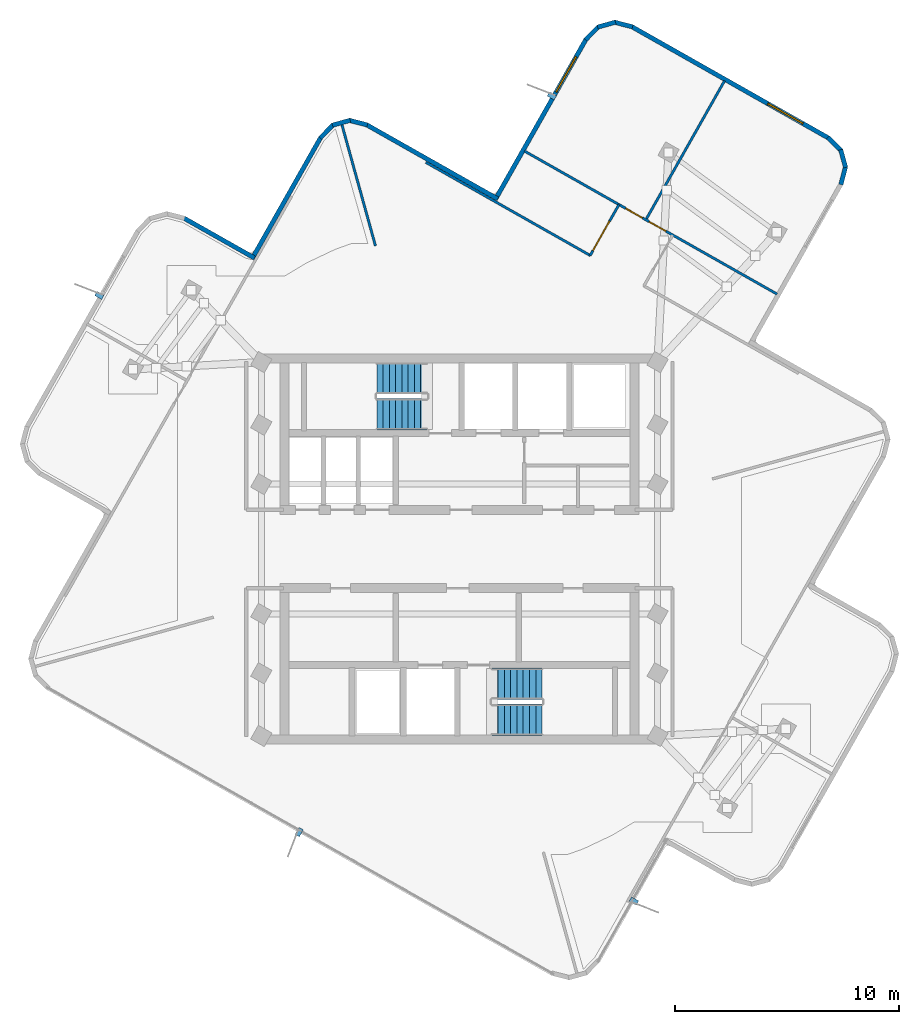
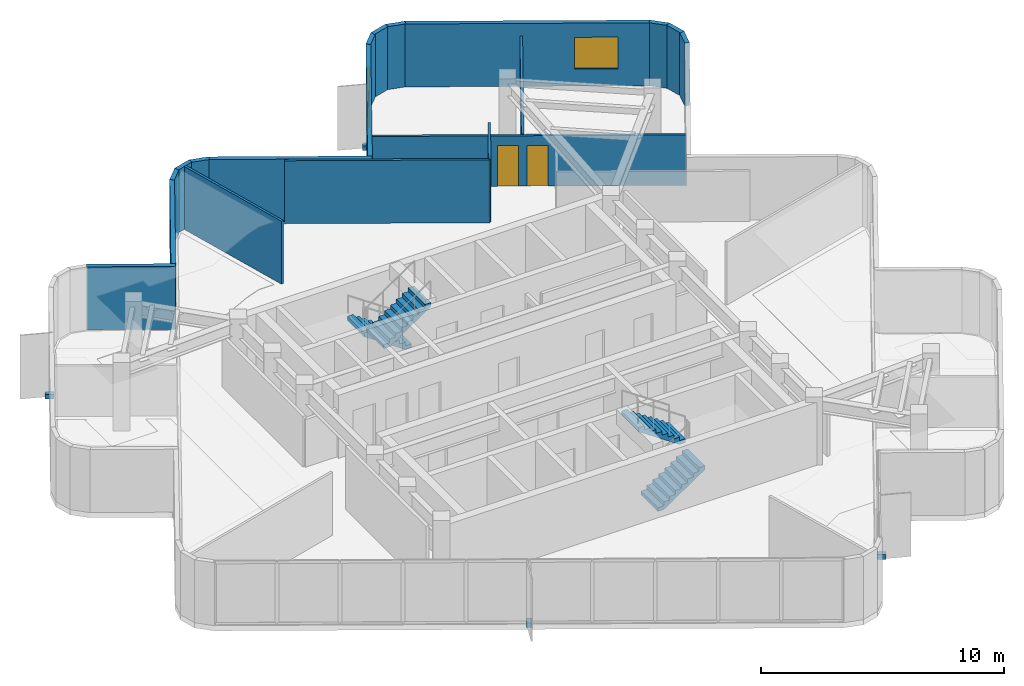
# One storey, part 6 of 9: 19 walls, 4 discrete accessories, 4 stair flights, 3 doors, 2 windows, 5 openings, 2 elements without a shape of their own.
"""IFC4 building model written with IfcOpenShell, lengths in metres."""

from ifc_helpers import new_model, si_unit, direction, frame, frame_2d, origin, origin_2d, place, context, subcontext, project, spatial, polyline, rectangle, outline, extrude, material, layer, layer_set, type_object, element, fill, aggregate, save


model = new_model("IFC4")

# Units and contexts
model_context = context("Model", 3, precision=1e-05, world=origin(), true_north=direction((0.0, 1.0)))
body_context = subcontext(model_context, "Body", "Model", "MODEL_VIEW")
ifc_project = project(units=[si_unit("LENGTHUNIT", "METRE"), si_unit("AREAUNIT", "SQUARE_METRE"), si_unit("VOLUMEUNIT", "CUBIC_METRE"), si_unit("PLANEANGLEUNIT", "RADIAN"), si_unit("MASSUNIT", "GRAM", prefix="KILO")], contexts=[model_context])

# Site, building, storey
site_placement = place(None, origin())
site = spatial("IfcSite", under=ifc_project, at=site_placement, CompositionType="ELEMENT")
building_placement = place(site_placement, origin())
building = spatial("IfcBuilding", under=site, at=building_placement, Name="Solmarez Civic Tower", CompositionType="ELEMENT")
storey_placement = place(building_placement, frame((0.0, 0.0, 278.280029296875)))
storey = spatial("IfcBuildingStorey", under=building, at=storey_placement, Name="L75", CompositionType="ELEMENT", Elevation=278.280029296875)

# Walls
ifc_material_1 = material(Name="Precast concrete C40/50", Category="concrete")
ifc_layer_1 = layer(ifc_material_1, 0.199951171875)
ifc_layer_set_1 = layer_set([ifc_layer_1], Name="Precast concrete C40/50")
wall_type_1 = type_object("IfcWallType", Name="WALL-EXT-200", PredefinedType="SOLIDWALL", material=ifc_layer_set_1)
wall_1_placement = place(storey_placement, frame((-12.322998046875, 14.7919921875, 0.0), z_axis=(0.0, 0.0, 1.0), x_axis=(0.870412972764, -0.492322309918, 0.0)))
element("IfcWall", 1, at=wall_1_placement, inside=storey, type_object=wall_type_1, Name="L75 Exterior Precast Wall 21", PredefinedType="SOLIDWALL", context=body_context, shape_type="SweptSolid", body=[
    extrude(rectangle(XDim=3.641845703125, YDim=0.199951171875, at=frame_2d((1.82080078125, 0.0))), origin(), (0.0, 0.0, 1.0), 3.159912109375),
])
wall_2_placement = place(storey_placement, frame((-9.261962890625, 12.968017578125, 0.0), z_axis=(0.0, 0.0, 1.0), x_axis=(0.492583125855, 0.87026539867, 0.0)))
element("IfcWall", 2, at=wall_2_placement, inside=storey, type_object=wall_type_1, Name="L75 Exterior Precast Wall 24", PredefinedType="SOLIDWALL", context=body_context, shape_type="SweptSolid", body=[
    extrude(rectangle(XDim=6.240478515625, YDim=0.199951171875, at=frame_2d((3.1201171875, 0.0))), origin(), (0.0, 0.0, 1.0), 3.159912109375),
])
wall_3_placement = place(storey_placement, frame((-6.218017578125, 18.35888671875, 0.0), z_axis=(0.0, 0.0, 1.0), x_axis=(0.701706468749, 0.712466161804, 0.0)))
element("IfcWall", 3, at=wall_3_placement, inside=storey, type_object=wall_type_1, Name="L75 Exterior Precast Wall 25", PredefinedType="SOLIDWALL", context=body_context, shape_type="SweptSolid", body=[
    extrude(rectangle(XDim=0.839599609375, YDim=0.199951171875, at=frame_2d((0.419921875, 0.0))), origin(), (0.0, 0.0, 1.0), 3.159912109375),
])
wall_4_placement = place(storey_placement, frame((-5.6708984375, 18.931884765625, 0.0), z_axis=(0.0, 0.0, 1.0), x_axis=(0.963313924885, 0.268377126675, 0.0)))
element("IfcWall", 4, at=wall_4_placement, inside=storey, type_object=wall_type_1, Name="L75 Exterior Precast Wall 26", PredefinedType="SOLIDWALL", context=body_context, shape_type="SweptSolid", body=[
    extrude(rectangle(XDim=0.82421875, YDim=0.199951171875, at=frame_2d((0.412109375, 0.0))), origin(), (0.0, 0.0, 1.0), 3.159912109375),
])
wall_5_placement = place(storey_placement, frame((-4.925048828125, 19.152099609375, 0.0), z_axis=(0.0, 0.0, 1.0), x_axis=(0.968015248239, -0.250891369276, 0.0)))
element("IfcWall", 5, at=wall_5_placement, inside=storey, type_object=wall_type_1, Name="L75 Exterior Precast Wall 27", PredefinedType="SOLIDWALL", context=body_context, shape_type="SweptSolid", body=[
    extrude(rectangle(XDim=0.837890625, YDim=0.199951171875, at=frame_2d((0.4189453125, 0.0))), origin(), (0.0, 0.0, 1.0), 3.159912109375),
])
wall_6_placement = place(storey_placement, frame((-4.159912109375, 18.9599609375, 0.0), z_axis=(0.0, 0.0, 1.0), x_axis=(0.870345588147, -0.492441425139, 0.0)))
element("IfcWall", 6, at=wall_6_placement, inside=storey, type_object=wall_type_1, Name="L75 Exterior Precast Wall 28", PredefinedType="SOLIDWALL", context=body_context, shape_type="SweptSolid", body=[
    extrude(rectangle(XDim=6.741943359375, YDim=0.199951171875, at=frame_2d((3.37109375, 0.0))), origin(), (0.0, 0.0, 1.0), 3.159912109375),
])

# Wall, opening, window
wall_7_placement = place(storey_placement, frame((1.59912109375, 15.60888671875, 0.0), z_axis=(0.0, 0.0, 1.0), x_axis=(0.492609649108, 0.870250385582, 0.0)))
wall_7 = element("IfcWall", 7, at=wall_7_placement, inside=storey, type_object=wall_type_1, Name="L75 Exterior Precast Wall 31", PredefinedType="SOLIDWALL", context=body_context, shape_type="SweptSolid", body=[
    extrude(rectangle(XDim=8.241455078125, YDim=0.199951171875, at=frame_2d((4.12060546875, 0.0))), origin(), (0.0, 0.0, 1.0), 3.159912109375),
])
opening_1_placement = place(wall_7_placement, frame((5.528076171875, 0.0, 0.85009765625)))
opening_1 = element("IfcOpeningElement", 8, at=opening_1_placement, cuts=wall_7, Name="Opening W-08", PredefinedType="OPENING", context=body_context, shape_type="SweptSolid", body=[
    extrude(rectangle(XDim=1.800048828125, YDim=1.800048828125, at=frame_2d((0.89990234375, 0.89990234375))), frame((0.0, 0.10986328125, 0.0), z_axis=(0.0, -1.0, 0.0), x_axis=(1.0, 0.0, 0.0)), (0.0, 0.0, 1.0), 0.219970703125),
])
ifc_material_2 = material(Name="Solar Control Bronze-Tinted Insulating Glass", Category="glass")
window_type_1 = type_object("IfcWindowType", Name="WIN-1800X1800", PartitioningType="SINGLE_PANEL", PredefinedType="WINDOW", material=ifc_material_2)
window_1_placement = place(opening_1_placement, origin())
window_1 = element("IfcWindow", 9, at=window_1_placement, inside=storey, type_object=window_type_1, Name="L75 Exterior Facade Window 31", OverallHeight=1.800048828125, OverallWidth=1.800048828125, PartitioningType="SINGLE_PANEL", PredefinedType="WINDOW", context=body_context, shape_type="SweptSolid", body=[
    extrude(rectangle(XDim=1.800048828125, YDim=1.800048828125, at=frame_2d((0.89990234375, 0.89990234375))), frame((0.0, 0.030029296875, 0.0), z_axis=(0.0, -1.0, 0.0), x_axis=(1.0, 0.0, 0.0)), (0.0, 0.0, 1.0), 0.06005859375),
])
fill(opening_1, window_1)

# Walls
wall_8_placement = place(storey_placement, frame((5.62890625, 22.740966796875, 0.0), z_axis=(0.0, 0.0, 1.0), x_axis=(0.701706468749, 0.712466161804, 0.0)))
element("IfcWall", 10, at=wall_8_placement, inside=storey, type_object=wall_type_1, Name="L75 Exterior Precast Wall 32", PredefinedType="SOLIDWALL", context=body_context, shape_type="SweptSolid", body=[
    extrude(rectangle(XDim=0.839599609375, YDim=0.199951171875, at=frame_2d((0.419921875, 0.0))), origin(), (0.0, 0.0, 1.0), 3.159912109375),
])
wall_9_placement = place(storey_placement, frame((6.176025390625, 23.31396484375, 0.0), z_axis=(0.0, 0.0, 1.0), x_axis=(0.963390474438, 0.268102207677, 0.0)))
element("IfcWall", 11, at=wall_9_placement, inside=storey, type_object=wall_type_1, Name="L75 Exterior Precast Wall 33", PredefinedType="SOLIDWALL", context=body_context, shape_type="SweptSolid", body=[
    extrude(rectangle(XDim=0.82421875, YDim=0.199951171875, at=frame_2d((0.412109375, 0.0))), origin(), (0.0, 0.0, 1.0), 3.159912109375),
])
wall_10_placement = place(storey_placement, frame((6.922119140625, 23.533935546875, 0.0), z_axis=(0.0, 0.0, 1.0), x_axis=(0.968067673617, -0.250689009127, 0.0)))
element("IfcWall", 12, at=wall_10_placement, inside=storey, type_object=wall_type_1, Name="L75 Exterior Precast Wall 34", PredefinedType="SOLIDWALL", context=body_context, shape_type="SweptSolid", body=[
    extrude(rectangle(XDim=0.837646484375, YDim=0.199951171875, at=frame_2d((0.4189453125, 0.0))), origin(), (0.0, 0.0, 1.0), 3.159912109375),
])

# Wall, opening, window
wall_11_placement = place(storey_placement, frame((7.68701171875, 23.342041015625, 0.0), z_axis=(0.0, 0.0, 1.0), x_axis=(0.870205552017, -0.49268884424, 0.0)))
wall_11 = element("IfcWall", 13, at=wall_11_placement, inside=storey, type_object=wall_type_1, Name="L75 Exterior Precast Wall 35", PredefinedType="SOLIDWALL", context=body_context, shape_type="SweptSolid", body=[
    extrude(rectangle(XDim=10.1240234375, YDim=0.199951171875, at=frame_2d((5.06201171875, 0.0))), origin(), (0.0, 0.0, 1.0), 3.159912109375),
])
opening_2_placement = place(wall_11_placement, frame((6.9970703125, 0.0, 0.85009765625)))
opening_2 = element("IfcOpeningElement", 14, at=opening_2_placement, cuts=wall_11, Name="Opening W-12", PredefinedType="OPENING", context=body_context, shape_type="SweptSolid", body=[
    extrude(rectangle(XDim=1.800048828125, YDim=1.60009765625, at=frame_2d((0.89990234375, 0.800048828125))), frame((0.0, 0.10986328125, 0.0), z_axis=(0.0, -1.0, 0.0), x_axis=(1.0, 0.0, 0.0)), (0.0, 0.0, 1.0), 0.219970703125),
])
window_type_2 = type_object("IfcWindowType", Name="WIN-1800X1600", PartitioningType="SINGLE_PANEL", PredefinedType="WINDOW", material=ifc_material_2)
window_2_placement = place(opening_2_placement, origin())
window_2 = element("IfcWindow", 15, at=window_2_placement, inside=storey, type_object=window_type_2, Name="L75 Exterior Facade Window 35", OverallHeight=1.60009765625, OverallWidth=1.800048828125, PartitioningType="SINGLE_PANEL", PredefinedType="WINDOW", context=body_context, shape_type="SweptSolid", body=[
    extrude(rectangle(XDim=1.800048828125, YDim=1.60009765625, at=frame_2d((0.89990234375, 0.800048828125))), frame((0.0, 0.030029296875, 0.0), z_axis=(0.0, -1.0, 0.0), x_axis=(1.0, 0.0, 0.0)), (0.0, 0.0, 1.0), 0.06005859375),
])
fill(opening_2, window_2)

# Walls
wall_12_placement = place(storey_placement, frame((16.45703125, 18.384033203125, 0.0), z_axis=(0.0, 0.0, 1.0), x_axis=(0.712904820367, -0.701260805334, 0.0)))
element("IfcWall", 16, at=wall_12_placement, inside=storey, type_object=wall_type_1, Name="L75 Exterior Precast Wall 36", PredefinedType="SOLIDWALL", context=body_context, shape_type="SweptSolid", body=[
    extrude(rectangle(XDim=0.838623046875, YDim=0.199951171875, at=frame_2d((0.41943359375, 0.0))), origin(), (0.0, 0.0, 1.0), 3.159912109375),
])
wall_13_placement = place(storey_placement, frame((17.030029296875, 17.837890625, 0.0), z_axis=(0.0, 0.0, 1.0), x_axis=(0.267796477586, -0.963475503888, 0.0)))
element("IfcWall", 17, at=wall_13_placement, inside=storey, type_object=wall_type_1, Name="L75 Exterior Precast Wall 37", PredefinedType="SOLIDWALL", context=body_context, shape_type="SweptSolid", body=[
    extrude(rectangle(XDim=0.824951171875, YDim=0.199951171875, at=frame_2d((0.41259765625, 0.0))), origin(), (0.0, 0.0, 1.0), 3.159912109375),
])
wall_14_placement = place(storey_placement, frame((17.25, 17.091064453125, 0.0), z_axis=(0.0, 0.0, 1.0), x_axis=(-0.250618286331, -0.968085985105, 0.0)))
element("IfcWall", 18, at=wall_14_placement, inside=storey, type_object=wall_type_1, Name="L75 Exterior Precast Wall 38", PredefinedType="SOLIDWALL", context=body_context, shape_type="SweptSolid", body=[
    extrude(rectangle(XDim=0.837890625, YDim=0.199951171875, at=frame_2d((0.4189453125, 0.0))), origin(), (0.0, 0.0, 1.0), 3.159912109375),
])
ifc_material_3 = material(Name="Gypsum Board Acoustic Steel-Stud Partition", Category="steel")
ifc_layer_2 = layer(ifc_material_3, 0.110107421875)
ifc_layer_set_2 = layer_set([ifc_layer_2], Name="Gypsum Board Acoustic Steel-Stud Partition")
wall_type_2 = type_object("IfcWallType", Name="WALL-INT-PART-110", PredefinedType="PARTITIONING", material=ifc_layer_set_2)
wall_15_placement = place(storey_placement, frame((-3.75, 13.5400390625, 0.0), z_axis=(0.0, 0.0, 1.0), x_axis=(-0.266822842302, 0.963745594452, 0.0)))
element("IfcWall", 19, at=wall_15_placement, inside=storey, type_object=wall_type_2, Name="L75 Interior Partition PT-L75-QDIV-1", PredefinedType="PARTITIONING", context=body_context, shape_type="SweptSolid", body=[
    extrude(rectangle(XDim=5.64453125, YDim=0.110107421875, at=frame_2d((2.822265625, 0.0))), origin(), (0.0, 0.0, 1.0), 3.159912109375),
])
wall_16_placement = place(storey_placement, frame((5.84912109375, 13.110107421875, 0.0), z_axis=(0.0, 0.0, 1.0), x_axis=(-0.870169207172, 0.49275303235, 0.0)))
element("IfcWall", 20, at=wall_16_placement, inside=storey, type_object=wall_type_2, Name="L75 Interior Partition PT-L75-E-EFL", PredefinedType="PARTITIONING", context=body_context, shape_type="SweptSolid", body=[
    extrude(rectangle(XDim=8.4501953125, YDim=0.110107421875, at=frame_2d((4.22509765625, 0.0))), origin(), (0.0, 0.0, 1.0), 3.159912109375),
])

# Wall, opening, door
wall_17_placement = place(storey_placement, frame((7.1259765625, 15.385986328125, 0.0), z_axis=(0.0, 0.0, 1.0), x_axis=(-0.492719860856, -0.870187990447, 0.0)))
wall_17 = element("IfcWall", 21, at=wall_17_placement, inside=storey, type_object=wall_type_2, Name="L75 Interior Partition PT-L75-E-SL", PredefinedType="PARTITIONING", context=body_context, shape_type="SweptSolid", body=[
    extrude(rectangle(XDim=2.60986328125, YDim=0.110107421875, at=frame_2d((1.304931640625, 0.0))), origin(), (0.0, 0.0, 1.0), 3.159912109375),
])
opening_3_placement = place(wall_17_placement, frame((0.85498046875, 0.0, 0.0)))
opening_3 = element("IfcOpeningElement", 22, at=opening_3_placement, cuts=wall_17, Name="Opening D-16", PredefinedType="OPENING", context=body_context, shape_type="SweptSolid", body=[
    extrude(rectangle(XDim=1.5, YDim=2.1201171875, at=frame_2d((0.75, 1.06005859375))), frame((0.0, 0.06494140625, 0.0), z_axis=(0.0, -1.0, 0.0), x_axis=(1.0, 0.0, 0.0)), (0.0, 0.0, 1.0), 0.130126953125),
])
ifc_material_4 = material(Name="Diplomatic Protocol Reception Door", Category="wood")
door_type_1 = type_object("IfcDoorType", Name="DOOR-INT-1500", OperationType="NOTDEFINED", PredefinedType="DOOR", material=ifc_material_4)
door_1_placement = place(opening_3_placement, origin())
door_1 = element("IfcDoor", 23, at=door_1_placement, inside=storey, type_object=door_type_1, Name="L75 Executive Chamber Tribunal Mediation Conference Room East Door", OperationType="SINGLE_SWING_LEFT", OverallHeight=2.1201171875, OverallWidth=1.5, PredefinedType="DOOR", context=body_context, shape_type="SweptSolid", body=[
    extrude(rectangle(XDim=1.5, YDim=2.1201171875, at=frame_2d((0.75, 1.06005859375))), frame((0.0, 0.02490234375, 0.0), z_axis=(0.0, -1.0, 0.0), x_axis=(1.0, 0.0, 0.0)), (0.0, 0.0, 1.0), 0.050048828125),
])
fill(opening_3, door_1)

# Wall
wall_18_placement = place(storey_placement, frame((8.35693359375, 14.758056640625, 0.0), z_axis=(0.0, 0.0, 1.0), x_axis=(0.492600685366, 0.870255459493, 0.0)))
element("IfcWall", 24, at=wall_18_placement, inside=storey, type_object=wall_type_2, Name="L75 Interior Partition PT-L75-E-TM", PredefinedType="PARTITIONING", context=body_context, shape_type="SweptSolid", body=[
    extrude(rectangle(XDim=7.074951171875, YDim=0.110107421875, at=frame_2d((3.53759765625, 0.0))), origin(), (0.0, 0.0, 1.0), 2.530029296875),
])

# Wall, openings, doors
wall_19_placement = place(storey_placement, frame((2.902099609375, 17.778076171875, 0.0), z_axis=(0.0, 0.0, 1.0), x_axis=(0.870194117035, -0.492709040588, 0.0)))
wall_19 = element("IfcWall", 25, at=wall_19_placement, inside=storey, type_object=wall_type_2, Name="L75 Interior Partition PT-L75-E-END", PredefinedType="PARTITIONING", context=body_context, shape_type="SweptSolid", body=[
    extrude(rectangle(XDim=12.969482421875, YDim=0.110107421875, at=frame_2d((6.48486328125, 0.0))), origin(), (0.0, 0.0, 1.0), 2.530029296875),
])
opening_4_placement = place(wall_19_placement, frame((6.405029296875, 0.0, 0.0)))
opening_4 = element("IfcOpeningElement", 26, at=opening_4_placement, cuts=wall_19, Name="Opening D-14", PredefinedType="OPENING", context=body_context, shape_type="SweptSolid", body=[
    extrude(rectangle(XDim=0.860107421875, YDim=2.0400390625, at=frame_2d((0.43017578125, 1.02001953125))), frame((0.0, 0.06494140625, 0.0), z_axis=(0.0, -1.0, 0.0), x_axis=(1.0, 0.0, 0.0)), (0.0, 0.0, 1.0), 0.130126953125),
])
opening_5_placement = place(wall_19_placement, frame((5.205078125, 0.0, 0.0)))
opening_5 = element("IfcOpeningElement", 27, at=opening_5_placement, cuts=wall_19, Name="Opening D-14", PredefinedType="OPENING", context=body_context, shape_type="SweptSolid", body=[
    extrude(rectangle(XDim=0.860107421875, YDim=2.0400390625, at=frame_2d((0.43017578125, 1.02001953125))), frame((0.0, 0.06494140625, 0.0), z_axis=(0.0, -1.0, 0.0), x_axis=(1.0, 0.0, 0.0)), (0.0, 0.0, 1.0), 0.130126953125),
])
ifc_material_5 = material(Name="Timber Storage and Pantry Door", Category="wood")
door_type_2 = type_object("IfcDoorType", Name="DOOR-INT-850", OperationType="NOTDEFINED", PredefinedType="DOOR", material=ifc_material_5)
door_2_placement = place(opening_4_placement, origin())
door_2 = element("IfcDoor", 28, at=door_2_placement, inside=storey, type_object=door_type_2, Name="L75 Delegates Lounge Sixth East Door", OperationType="SINGLE_SWING_RIGHT", OverallHeight=2.0400390625, OverallWidth=0.860107421875, PredefinedType="DOOR", context=body_context, shape_type="SweptSolid", body=[
    extrude(rectangle(XDim=0.860107421875, YDim=2.0400390625, at=frame_2d((0.43017578125, 1.02001953125))), frame((0.0, 0.02490234375, 0.0), z_axis=(0.0, -1.0, 0.0), x_axis=(1.0, 0.0, 0.0)), (0.0, 0.0, 1.0), 0.050048828125),
])
fill(opening_4, door_2)
door_3_placement = place(opening_5_placement, origin())
door_3 = element("IfcDoor", 29, at=door_3_placement, inside=storey, type_object=door_type_2, Name="L75 Public Reading Room Fifth East Door", OperationType="SINGLE_SWING_LEFT", OverallHeight=2.0400390625, OverallWidth=0.860107421875, PredefinedType="DOOR", context=body_context, shape_type="SweptSolid", body=[
    extrude(rectangle(XDim=0.860107421875, YDim=2.0400390625, at=frame_2d((0.43017578125, 1.02001953125))), frame((0.0, 0.02490234375, 0.0), z_axis=(0.0, -1.0, 0.0), x_axis=(1.0, 0.0, 0.0)), (0.0, 0.0, 1.0), 0.050048828125),
])
fill(opening_5, door_3)

# Stair, stair flights
ifc_material_6 = material(Name="Concrete C50/60", Category="concrete")
stair_type = type_object("IfcStairType", Name="STAIR-DOGLEG-140W-18R-1900", PredefinedType="HALF_TURN_STAIR", material=ifc_material_6)
stair_1_placement = place(storey_placement, origin())
stair_1 = element("IfcStair", 30, at=stair_1_placement, inside=storey, type_object=stair_type, Name="L75 North Core Protected Exit Stair ST-1", PredefinedType="HALF_TURN_STAIR")
stair_flight_type = type_object("IfcStairFlightType", Name="FLIGHT-DOGLEG-140W-9R-1900", PredefinedType="STRAIGHT", material=ifc_material_6)
stair_flight_1_placement = place(storey_placement, frame((-1.449951171875, 7.6201171875, 0.0), z_axis=(0.0, 0.0, 1.0), x_axis=(-1.0, 0.0, 0.0)))
stair_flight_1 = element("IfcStairFlight", 31, at=stair_flight_1_placement, type_object=stair_flight_type, Name="ST-1 flight 1", NumberOfRisers=9, NumberOfTreads=8, PredefinedType="STRAIGHT", RiserHeight=0.19, TreadLength=0.28, context=body_context, shape_type="SweptSolid", body=[
    extrude(outline(polyline([(0.0, 0.0), (0.0, 0.18994140625), (0.280029296875, 0.18994140625), (0.280029296875, 0.3798828125), (0.56005859375, 0.3798828125), (0.56005859375, 0.570068359375), (0.840087890625, 0.570068359375), (0.840087890625, 0.760009765625), (1.1201171875, 0.760009765625), (1.1201171875, 0.949951171875), (1.39990234375, 0.949951171875), (1.39990234375, 1.139892578125), (1.679931640625, 1.139892578125), (1.679931640625, 1.330078125), (1.9599609375, 1.330078125), (1.9599609375, 1.52001953125), (2.239990234375, 1.52001953125), (2.239990234375, 1.7099609375), (2.239990234375, 1.32666015625), (0.284912109375, 0.0), (0.0, 0.0)])), frame((0.0, 0.699951171875, 0.0), z_axis=(0.0, -1.0, 0.0), x_axis=(1.0, 0.0, 0.0)), (0.0, 0.0, 1.0), 1.39990234375),
])
stair_flight_2_placement = place(storey_placement, frame((-3.68994140625, 6.02001953125, 1.7099609375), z_axis=(0.0, 0.0, 1.0), x_axis=(1.0, 0.0, 0.0)))
stair_flight_2 = element("IfcStairFlight", 32, at=stair_flight_2_placement, type_object=stair_flight_type, Name="ST-1 flight 2", NumberOfRisers=9, NumberOfTreads=8, PredefinedType="STRAIGHT", RiserHeight=0.19, TreadLength=0.28, context=body_context, shape_type="SweptSolid", body=[
    extrude(outline(polyline([(0.0, 0.0), (0.0, 0.18994140625), (0.280029296875, 0.18994140625), (0.280029296875, 0.3798828125), (0.56005859375, 0.3798828125), (0.56005859375, 0.570068359375), (0.840087890625, 0.570068359375), (0.840087890625, 0.760009765625), (1.1201171875, 0.760009765625), (1.1201171875, 0.949951171875), (1.39990234375, 0.949951171875), (1.39990234375, 1.139892578125), (1.679931640625, 1.139892578125), (1.679931640625, 1.330078125), (1.9599609375, 1.330078125), (1.9599609375, 1.52001953125), (2.239990234375, 1.52001953125), (2.239990234375, 1.7099609375), (2.239990234375, 1.32666015625), (0.284912109375, 0.0), (0.0, 0.0)])), frame((0.0, 0.699951171875, 0.0), z_axis=(0.0, -1.0, 0.0), x_axis=(1.0, 0.0, 0.0)), (0.0, 0.0, 1.0), 1.39990234375),
])
aggregate(stair_1, [stair_flight_1, stair_flight_2])

stair_2_placement = place(storey_placement, origin())
stair_2 = element("IfcStair", 33, at=stair_2_placement, inside=storey, type_object=stair_type, Name="L75 South Core Protected Exit Stair ST-2", PredefinedType="HALF_TURN_STAIR")
stair_flight_3_placement = place(storey_placement, frame((1.449951171875, -7.6201171875, 0.0), z_axis=(0.0, 0.0, 1.0), x_axis=(1.0, 0.0, 0.0)))
stair_flight_3 = element("IfcStairFlight", 34, at=stair_flight_3_placement, type_object=stair_flight_type, Name="ST-2 flight 1", NumberOfRisers=9, NumberOfTreads=8, PredefinedType="STRAIGHT", RiserHeight=0.19, TreadLength=0.28, context=body_context, shape_type="SweptSolid", body=[
    extrude(outline(polyline([(0.0, 0.0), (0.0, 0.18994140625), (0.280029296875, 0.18994140625), (0.280029296875, 0.3798828125), (0.56005859375, 0.3798828125), (0.56005859375, 0.570068359375), (0.840087890625, 0.570068359375), (0.840087890625, 0.760009765625), (1.1201171875, 0.760009765625), (1.1201171875, 0.949951171875), (1.39990234375, 0.949951171875), (1.39990234375, 1.139892578125), (1.679931640625, 1.139892578125), (1.679931640625, 1.330078125), (1.9599609375, 1.330078125), (1.9599609375, 1.52001953125), (2.239990234375, 1.52001953125), (2.239990234375, 1.7099609375), (2.239990234375, 1.32666015625), (0.284912109375, 0.0), (0.0, 0.0)])), frame((0.0, 0.699951171875, 0.0), z_axis=(0.0, -1.0, 0.0), x_axis=(1.0, 0.0, 0.0)), (0.0, 0.0, 1.0), 1.39990234375),
])
stair_flight_4_placement = place(storey_placement, frame((3.68994140625, -6.02001953125, 1.7099609375), z_axis=(0.0, 0.0, 1.0), x_axis=(-1.0, 0.0, 0.0)))
stair_flight_4 = element("IfcStairFlight", 35, at=stair_flight_4_placement, type_object=stair_flight_type, Name="ST-2 flight 2", NumberOfRisers=9, NumberOfTreads=8, PredefinedType="STRAIGHT", RiserHeight=0.19, TreadLength=0.28, context=body_context, shape_type="SweptSolid", body=[
    extrude(outline(polyline([(0.0, 0.0), (0.0, 0.18994140625), (0.280029296875, 0.18994140625), (0.280029296875, 0.3798828125), (0.56005859375, 0.3798828125), (0.56005859375, 0.570068359375), (0.840087890625, 0.570068359375), (0.840087890625, 0.760009765625), (1.1201171875, 0.760009765625), (1.1201171875, 0.949951171875), (1.39990234375, 0.949951171875), (1.39990234375, 1.139892578125), (1.679931640625, 1.139892578125), (1.679931640625, 1.330078125), (1.9599609375, 1.330078125), (1.9599609375, 1.52001953125), (2.239990234375, 1.52001953125), (2.239990234375, 1.7099609375), (2.239990234375, 1.32666015625), (0.284912109375, 0.0), (0.0, 0.0)])), frame((0.0, 0.699951171875, 0.0), z_axis=(0.0, -1.0, 0.0), x_axis=(1.0, 0.0, 0.0)), (0.0, 0.0, 1.0), 1.39990234375),
])
aggregate(stair_2, [stair_flight_3, stair_flight_4])

# Discrete accessories
ifc_material_7 = material(Name="Stainless Steel Grade 1.4401", Category="steel")
discrete_accessory_type = type_object("IfcDiscreteAccessoryType", Name="BRACKET-SS-FIN", PredefinedType="BRACKET", material=ifc_material_7)
for number, where, z_axis, x_axis, name in (
    (36, (7.794921875, -15.722900390625, -0.06005859375), (0.0, 0.0, 1.0), (0.870192250078, -0.492712337886, 0.0), "L75 Stainless Fin Support Bracket FIN-L75-01"),
    (37, (-7.158935546875, -12.64404296875, -0.06005859375), (0.0, 0.0, 1.0), (-0.492705359659, -0.870196201189, 0.0), "L75 Stainless Fin Support Bracket FIN-L75-02"),
    (38, (-16.0849609375, 11.3310546875, -0.06005859375), (0.0, 0.0, 1.0), (-0.87020947719, 0.492681911387, 0.0), "L75 Stainless Fin Support Bracket FIN-L75-03"),
    (39, (4.1298828125, 20.240966796875, -0.06005859375), (0.0, 0.0, 1.0), (-0.870180297038, 0.492733447866, 0.0), "L75 Stainless Fin Support Bracket FIN-L75-04"),
):
    element("IfcDiscreteAccessory", number, at=place(storey_placement, frame(where, z_axis=z_axis, x_axis=x_axis)), inside=storey, type_object=discrete_accessory_type, Name=name, PredefinedType="BRACKET", context=body_context, shape_type="SweptSolid", body=[
        extrude(rectangle(XDim=0.360107421875, YDim=0.219970703125, at=origin_2d()), origin(), (0.0, 0.0, 1.0), 0.239990234375),
    ])

save(model, "model.ifc")
